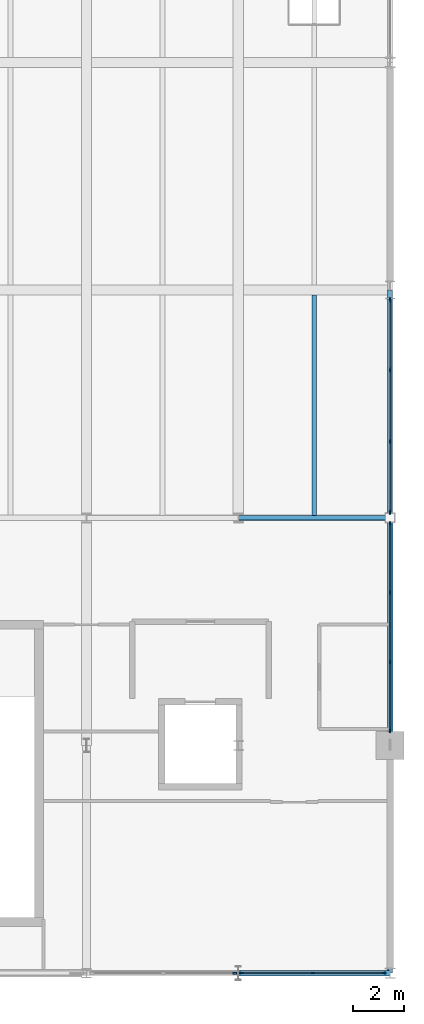
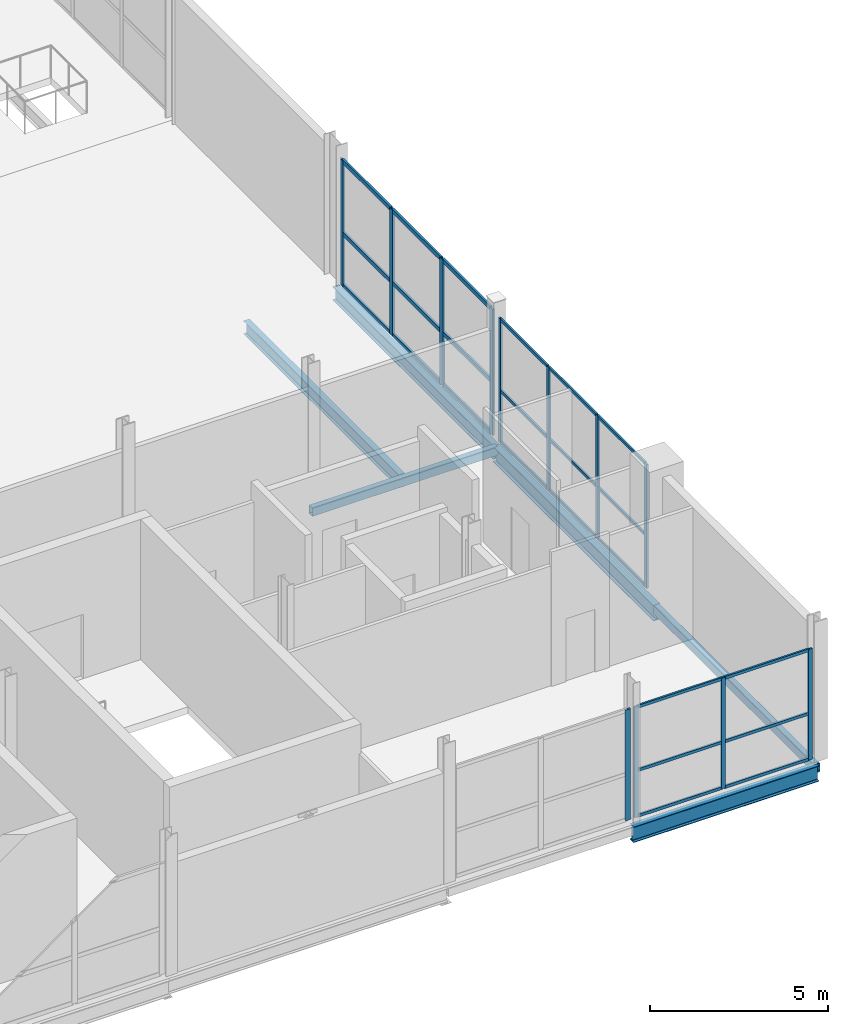
# One storey, part 10 of 29: 36 members, 6 beams, 4 elements without a shape of their own.
"""IFC4 building model written with IfcOpenShell, lengths in metres."""

from ifc_helpers import new_model, si_unit, direction, frame, origin, origin_2d, place, context, subcontext, project, spatial, rectangle, hollow_rectangle, i_section, extrude, material, layer, layer_set, material_profile, profile_set, type_object, element, aggregate, save


model = new_model("IFC4")

# Units and contexts
model_context = context("Model", 3, precision=1e-05, world=origin(), true_north=direction((0.0, 1.0)))
body_context = subcontext(model_context, "Body", "Model", "MODEL_VIEW")
ifc_project = project(units=[si_unit("LENGTHUNIT", "METRE"), si_unit("AREAUNIT", "SQUARE_METRE"), si_unit("VOLUMEUNIT", "CUBIC_METRE"), si_unit("PLANEANGLEUNIT", "RADIAN"), si_unit("MASSUNIT", "GRAM", prefix="KILO")], contexts=[model_context])

# Site, building, storey
site_placement = place(None, origin())
site = spatial("IfcSite", under=ifc_project, at=site_placement, CompositionType="ELEMENT")
building_placement = place(site_placement, origin())
building = spatial("IfcBuilding", under=site, at=building_placement, Name="Qamarlyn Nura Convention Centre", CompositionType="ELEMENT")
storey_placement = place(building_placement, frame((0.0, 0.0, 25.199951171875)))
storey = spatial("IfcBuildingStorey", under=building, at=storey_placement, Name="L05", CompositionType="ELEMENT", Elevation=25.199951171875)

# Beams
ifc_material_1 = material(Name="Steel ASTM A992", Category="steel")
ifc_material_profile_1 = material_profile(ifc_material_1, i_section(OverallWidth=0.18994140625, OverallDepth=0.45703125, WebThickness=0.009033203125, FlangeThickness=0.014404296875, FilletRadius=0.012939453125, at=origin_2d()), Name="W460X74")
ifc_profile_set_1 = profile_set([ifc_material_profile_1], Name="Steel ASTM A992")
beam_type_1 = type_object("IfcBeamType", Name="BM-JOIST-460", PredefinedType="JOIST", material=ifc_profile_set_1)
beam_1_placement = place(storey_placement, frame((189.0, 18.10009765625, -0.468505859375), z_axis=(0.0, 1.0, 0.0), x_axis=(-1.0, 0.0, 0.0)))
element("IfcBeam", 1, at=beam_1_placement, inside=storey, type_object=beam_type_1, Name="L05 secondary joist 17-18/C-D-33", PredefinedType="JOIST", context=body_context, shape_type="SweptSolid", body=[
    extrude(i_section(OverallWidth=0.18994140625, OverallDepth=0.45703125, WebThickness=0.009033203125, FlangeThickness=0.014404296875, FilletRadius=0.012939453125, at=origin_2d()), origin(), (0.0, 0.0, 1.0), 8.699951171875),
])
ifc_material_profile_2 = material_profile(ifc_material_1, i_section(OverallWidth=0.193115234375, OverallDepth=0.466064453125, WebThickness=0.011474609375, FlangeThickness=0.01904296875, FilletRadius=0.012939453125, at=origin_2d()), Name="W460X97")
ifc_profile_set_2 = profile_set([ifc_material_profile_2], Name="Steel ASTM A992")
beam_type_2 = type_object("IfcBeamType", Name="BM-SPAN-460", PredefinedType="SPANDREL", material=ifc_profile_set_2)
beam_2_placement = place(storey_placement, frame((192.0, 18.0, -0.472900390625), z_axis=(0.0, 1.0, 0.0), x_axis=(-1.0, 0.0, 0.0)))
element("IfcBeam", 2, at=beam_2_placement, inside=storey, type_object=beam_type_2, Name="L05 girder 18 C-D", PredefinedType="SPANDREL", context=body_context, shape_type="SweptSolid", body=[
    extrude(i_section(OverallWidth=0.193115234375, OverallDepth=0.466064453125, WebThickness=0.011474609375, FlangeThickness=0.01904296875, FilletRadius=0.012939453125, at=origin_2d()), origin(), (0.0, 0.0, 1.0), 9.0),
])
ifc_material_profile_3 = material_profile(ifc_material_1, i_section(OverallWidth=0.2109375, OverallDepth=0.5390625, WebThickness=0.01171875, FlangeThickness=0.018798828125, FilletRadius=0.013916015625, at=origin_2d()), Name="W530X109")
ifc_profile_set_3 = profile_set([ifc_material_profile_3], Name="Steel ASTM A992")
beam_type_3 = type_object("IfcBeamType", Name="BM-SPAN-530", PredefinedType="SPANDREL", material=ifc_profile_set_3)
beam_3_placement = place(storey_placement, frame((186.0, 0.0, -0.509521484375), z_axis=(1.0, 0.0, 0.0), x_axis=(0.0, 1.0, 0.0)))
element("IfcBeam", 3, at=beam_3_placement, inside=storey, type_object=beam_type_3, Name="L05 girder A 17-18", PredefinedType="SPANDREL", context=body_context, shape_type="SweptSolid", body=[
    extrude(i_section(OverallWidth=0.2109375, OverallDepth=0.5390625, WebThickness=0.01171875, FlangeThickness=0.018798828125, FilletRadius=0.013916015625, at=origin_2d()), origin(), (0.0, 0.0, 1.0), 6.0),
])
beam_4_placement = place(storey_placement, frame((192.0, 9.0, -0.509521484375), z_axis=(0.0, 1.0, 0.0), x_axis=(-1.0, 0.0, 0.0)))
element("IfcBeam", 4, at=beam_4_placement, inside=storey, type_object=beam_type_3, Name="L05 girder 18 B-C", PredefinedType="SPANDREL", context=body_context, shape_type="SweptSolid", body=[
    extrude(i_section(OverallWidth=0.2109375, OverallDepth=0.5390625, WebThickness=0.01171875, FlangeThickness=0.018798828125, FilletRadius=0.013916015625, at=origin_2d()), origin(), (0.0, 0.0, 1.0), 9.0),
])
ifc_material_2 = material(Name="Steel ASTM A500 Grade C", Category="steel")
ifc_material_profile_4 = material_profile(ifc_material_2, hollow_rectangle(XDim=0.199951171875, YDim=0.300048828125, WallThickness=0.012451171875, InnerFilletRadius=0.012451171875, OuterFilletRadius=0.02490234375, at=origin_2d()), Name="HSS300X200X12.5")
ifc_profile_set_4 = profile_set([ifc_material_profile_4], Name="Steel ASTM A500 Grade C")
beam_type_4 = type_object("IfcBeamType", Name="BM-SPAN-HSS", PredefinedType="SPANDREL", material=ifc_profile_set_4)
beam_5_placement = place(storey_placement, frame((186.0, 18.0, -0.389892578125), z_axis=(1.0, 0.0, 0.0), x_axis=(0.0, 1.0, 0.0)))
element("IfcBeam", 5, at=beam_5_placement, inside=storey, type_object=beam_type_4, Name="L05 girder C 17-18", PredefinedType="SPANDREL", context=body_context, shape_type="SweptSolid", body=[
    extrude(hollow_rectangle(XDim=0.199951171875, YDim=0.300048828125, WallThickness=0.012451171875, InnerFilletRadius=0.012451171875, OuterFilletRadius=0.02490234375, at=origin_2d()), origin(), (0.0, 0.0, 1.0), 6.0),
])
beam_6_placement = place(storey_placement, frame((192.0, 0.0, -0.389892578125), z_axis=(0.0, 1.0, 0.0), x_axis=(-1.0, 0.0, 0.0)))
element("IfcBeam", 6, at=beam_6_placement, inside=storey, type_object=beam_type_4, Name="L05 girder 18 A-B", PredefinedType="SPANDREL", context=body_context, shape_type="SweptSolid", body=[
    extrude(hollow_rectangle(XDim=0.199951171875, YDim=0.300048828125, WallThickness=0.012451171875, InnerFilletRadius=0.012451171875, OuterFilletRadius=0.02490234375, at=origin_2d()), origin(), (0.0, 0.0, 1.0), 9.0),
])

# Curtain wall, members
ifc_material_3 = material(Name="Double-silver low-E insulated glass", Category="glass")
ifc_layer_1 = layer(ifc_material_3, 0.179931640625, Name="CW-UNIT-152")
ifc_layer_set_1 = layer_set([ifc_layer_1], Name="Double-silver low-E insulated glass")
curtain_wall_type_1 = type_object("IfcCurtainWallType", Name="CW-UNIT-152", PredefinedType="NOTDEFINED", material=ifc_layer_set_1)
curtain_wall_1_placement = place(storey_placement, origin())
curtain_wall_1 = element("IfcCurtainWall", 7, at=curtain_wall_1_placement, inside=storey, type_object=curtain_wall_type_1, Name="L05 unitised curtain wall EAST-2-1", PredefinedType="NOTDEFINED")
ifc_material_4 = material(Name="Champagne-anodised marine aluminium", Category="aluminium")
ifc_material_profile_5 = material_profile(ifc_material_4, rectangle(XDim=0.06005859375, YDim=0.139892578125, at=origin_2d()), Name="ALU MULLION 60x140")
ifc_profile_set_5 = profile_set([ifc_material_profile_5], Name="Champagne-anodised marine aluminium")
member_type_1 = type_object("IfcMemberType", Name="CWM-140", PredefinedType="MULLION", material=ifc_profile_set_5)
member_1_placement = place(storey_placement, frame((192.0, 17.77001953125, 0.0), z_axis=(0.0, 0.0, 1.0), x_axis=(1.0, 0.0, 0.0)))
member_1 = element("IfcMember", 8, at=member_1_placement, type_object=member_type_1, Name="CW152 mullion 1", PredefinedType="MULLION", context=body_context, shape_type="SweptSolid", body=[
    extrude(rectangle(XDim=0.06005859375, YDim=0.139892578125, at=origin_2d()), origin(), (0.0, 0.0, 1.0), 4.24609375),
])
member_2_placement = place(storey_placement, frame((192.0, 15.050048828125, 0.0), z_axis=(0.0, 0.0, 1.0), x_axis=(1.0, 0.0, 0.0)))
member_2 = element("IfcMember", 9, at=member_2_placement, type_object=member_type_1, Name="CW152 mullion 2", PredefinedType="MULLION", context=body_context, shape_type="SweptSolid", body=[
    extrude(rectangle(XDim=0.06005859375, YDim=0.139892578125, at=origin_2d()), origin(), (0.0, 0.0, 1.0), 4.24609375),
])
member_3_placement = place(storey_placement, frame((192.0, 12.300048828125, 0.0), z_axis=(0.0, 0.0, 1.0), x_axis=(1.0, 0.0, 0.0)))
member_3 = element("IfcMember", 10, at=member_3_placement, type_object=member_type_1, Name="CW152 mullion 3", PredefinedType="MULLION", context=body_context, shape_type="SweptSolid", body=[
    extrude(rectangle(XDim=0.06005859375, YDim=0.139892578125, at=origin_2d()), origin(), (0.0, 0.0, 1.0), 4.24609375),
])
member_4_placement = place(storey_placement, frame((192.0, 9.580078125, 0.0), z_axis=(0.0, 0.0, 1.0), x_axis=(1.0, 0.0, 0.0)))
member_4 = element("IfcMember", 11, at=member_4_placement, type_object=member_type_1, Name="CW152 mullion 4", PredefinedType="MULLION", context=body_context, shape_type="SweptSolid", body=[
    extrude(rectangle(XDim=0.06005859375, YDim=0.139892578125, at=origin_2d()), origin(), (0.0, 0.0, 1.0), 4.24609375),
])

ifc_layer_2 = layer(ifc_material_3, 0.179931640625, Name="CW-UNIT-158")
ifc_layer_set_2 = layer_set([ifc_layer_2], Name="Double-silver low-E insulated glass")
curtain_wall_type_2 = type_object("IfcCurtainWallType", Name="CW-UNIT-158", PredefinedType="NOTDEFINED", material=ifc_layer_set_2)
curtain_wall_2_placement = place(storey_placement, origin())
curtain_wall_2 = element("IfcCurtainWall", 12, at=curtain_wall_2_placement, inside=storey, type_object=curtain_wall_type_2, Name="L05 unitised curtain wall STH-5-1", PredefinedType="NOTDEFINED")
member_5_placement = place(storey_placement, frame((191.765380859375, 0.0, 0.0), z_axis=(0.0, 0.0, 1.0), x_axis=(0.0, -1.0, 0.0)))
member_5 = element("IfcMember", 13, at=member_5_placement, type_object=member_type_1, Name="CW158 mullion 1", PredefinedType="MULLION", context=body_context, shape_type="SweptSolid", body=[
    extrude(rectangle(XDim=0.06005859375, YDim=0.139892578125, at=origin_2d()), origin(), (0.0, 0.0, 1.0), 3.7939453125),
])
member_6_placement = place(storey_placement, frame((188.950439453125, 0.0, 0.0), z_axis=(0.0, 0.0, 1.0), x_axis=(0.0, -1.0, 0.0)))
member_6 = element("IfcMember", 14, at=member_6_placement, type_object=member_type_1, Name="CW158 mullion 2", PredefinedType="MULLION", context=body_context, shape_type="SweptSolid", body=[
    extrude(rectangle(XDim=0.06005859375, YDim=0.139892578125, at=origin_2d()), origin(), (0.0, 0.0, 1.0), 3.7939453125),
])
member_7_placement = place(storey_placement, frame((186.135498046875, 0.0, 0.0), z_axis=(0.0, 0.0, 1.0), x_axis=(0.0, -1.0, 0.0)))
member_7 = element("IfcMember", 15, at=member_7_placement, type_object=member_type_1, Name="CW158 mullion 3", PredefinedType="MULLION", context=body_context, shape_type="SweptSolid", body=[
    extrude(rectangle(XDim=0.06005859375, YDim=0.139892578125, at=origin_2d()), origin(), (0.0, 0.0, 1.0), 3.7939453125),
])

# Curtain wall, member
ifc_layer_3 = layer(ifc_material_3, 0.179931640625, Name="CW-UNIT-157")
ifc_layer_set_3 = layer_set([ifc_layer_3], Name="Double-silver low-E insulated glass")
curtain_wall_type_3 = type_object("IfcCurtainWallType", Name="CW-UNIT-157", PredefinedType="NOTDEFINED", material=ifc_layer_set_3)
curtain_wall_3_placement = place(storey_placement, origin())
curtain_wall_3 = element("IfcCurtainWall", 16, at=curtain_wall_3_placement, inside=storey, type_object=curtain_wall_type_3, Name="L05 unitised curtain wall STH-4-1", PredefinedType="NOTDEFINED")
ifc_material_profile_6 = material_profile(ifc_material_4, rectangle(XDim=0.06494140625, YDim=0.159912109375, at=origin_2d()), Name="ALU MULLION 65x160")
ifc_profile_set_6 = profile_set([ifc_material_profile_6], Name="Champagne-anodised marine aluminium")
member_type_2 = type_object("IfcMemberType", Name="CWM-160", PredefinedType="MULLION", material=ifc_profile_set_6)
member_8_placement = place(storey_placement, frame((185.862060546875, 0.0, 0.0), z_axis=(0.0, 0.0, 1.0), x_axis=(0.0, -1.0, 0.0)))
member_8 = element("IfcMember", 17, at=member_8_placement, type_object=member_type_2, Name="CW157 mullion 1", PredefinedType="MULLION", context=body_context, shape_type="SweptSolid", body=[
    extrude(rectangle(XDim=0.06494140625, YDim=0.159912109375, at=origin_2d()), origin(), (0.0, 0.0, 1.0), 3.7939453125),
])
aggregate(curtain_wall_3, [member_8])

# Curtain wall, members
ifc_layer_4 = layer(ifc_material_3, 0.179931640625, Name="CW-UNIT-153")
ifc_layer_set_4 = layer_set([ifc_layer_4], Name="Double-silver low-E insulated glass")
curtain_wall_type_4 = type_object("IfcCurtainWallType", Name="CW-UNIT-153", PredefinedType="NOTDEFINED", material=ifc_layer_set_4)
curtain_wall_4_placement = place(storey_placement, origin())
curtain_wall_4 = element("IfcCurtainWall", 18, at=curtain_wall_4_placement, inside=storey, type_object=curtain_wall_type_4, Name="L05 unitised curtain wall EAST-3-1", PredefinedType="NOTDEFINED")
ifc_material_profile_7 = material_profile(ifc_material_4, rectangle(XDim=0.070068359375, YDim=0.179931640625, at=origin_2d()), Name="ALU MULLION 70x180")
ifc_profile_set_7 = profile_set([ifc_material_profile_7], Name="Champagne-anodised marine aluminium")
member_type_3 = type_object("IfcMemberType", Name="CWM-180", PredefinedType="MULLION", material=ifc_profile_set_7)
member_9_placement = place(storey_placement, frame((192.0, 26.617431640625, 0.0), z_axis=(0.0, 0.0, 1.0), x_axis=(1.0, 0.0, 0.0)))
member_9 = element("IfcMember", 19, at=member_9_placement, type_object=member_type_3, Name="CW153 mullion 1", PredefinedType="MULLION", context=body_context, shape_type="SweptSolid", body=[
    extrude(rectangle(XDim=0.070068359375, YDim=0.179931640625, at=origin_2d()), origin(), (0.0, 0.0, 1.0), 4.319091796875),
])
member_10_placement = place(storey_placement, frame((192.0, 23.8349609375, 0.0), z_axis=(0.0, 0.0, 1.0), x_axis=(1.0, 0.0, 0.0)))
member_10 = element("IfcMember", 20, at=member_10_placement, type_object=member_type_3, Name="CW153 mullion 2", PredefinedType="MULLION", context=body_context, shape_type="SweptSolid", body=[
    extrude(rectangle(XDim=0.070068359375, YDim=0.179931640625, at=origin_2d()), origin(), (0.0, 0.0, 1.0), 4.319091796875),
])
member_11_placement = place(storey_placement, frame((192.0, 21.017578125, 0.0), z_axis=(0.0, 0.0, 1.0), x_axis=(1.0, 0.0, 0.0)))
member_11 = element("IfcMember", 21, at=member_11_placement, type_object=member_type_3, Name="CW153 mullion 3", PredefinedType="MULLION", context=body_context, shape_type="SweptSolid", body=[
    extrude(rectangle(XDim=0.070068359375, YDim=0.179931640625, at=origin_2d()), origin(), (0.0, 0.0, 1.0), 4.319091796875),
])
member_12_placement = place(storey_placement, frame((192.0, 18.235107421875, 0.0), z_axis=(0.0, 0.0, 1.0), x_axis=(1.0, 0.0, 0.0)))
member_12 = element("IfcMember", 22, at=member_12_placement, type_object=member_type_3, Name="CW153 mullion 4", PredefinedType="MULLION", context=body_context, shape_type="SweptSolid", body=[
    extrude(rectangle(XDim=0.070068359375, YDim=0.179931640625, at=origin_2d()), origin(), (0.0, 0.0, 1.0), 4.319091796875),
])

# Member
ifc_material_profile_8 = material_profile(ifc_material_4, rectangle(XDim=0.06005859375, YDim=0.10009765625, at=origin_2d()), Name="ALU TRANSOM 60x100")
ifc_profile_set_8 = profile_set([ifc_material_profile_8], Name="Champagne-anodised marine aluminium")
member_type_4 = type_object("IfcMemberType", Name="CWT-100", PredefinedType="USERDEFINED", material=ifc_profile_set_8)
member_13_placement = place(storey_placement, frame((192.0, 17.739990234375, 0.030029296875), z_axis=(0.0, -1.0, 0.0), x_axis=(1.0, 0.0, 0.0)))
member_13 = element("IfcMember", 23, at=member_13_placement, type_object=member_type_4, Name="CW152 transom 1.1", ObjectType="TRANSOM", PredefinedType="USERDEFINED", context=body_context, shape_type="SweptSolid", body=[
    extrude(rectangle(XDim=0.06005859375, YDim=0.10009765625, at=origin_2d()), origin(), (0.0, 0.0, 1.0), 2.659912109375),
])

member_14_placement = place(storey_placement, frame((192.0, 17.739990234375, 1.782958984375), z_axis=(0.0, -1.0, 0.0), x_axis=(1.0, 0.0, 0.0)))
member_14 = element("IfcMember", 24, at=member_14_placement, type_object=member_type_4, Name="CW152 transom 1.2", ObjectType="TRANSOM", PredefinedType="USERDEFINED", context=body_context, shape_type="SweptSolid", body=[
    extrude(rectangle(XDim=0.06005859375, YDim=0.10009765625, at=origin_2d()), origin(), (0.0, 0.0, 1.0), 2.659912109375),
])

member_15_placement = place(storey_placement, frame((192.0, 17.739990234375, 4.216064453125), z_axis=(0.0, -1.0, 0.0), x_axis=(1.0, 0.0, 0.0)))
member_15 = element("IfcMember", 25, at=member_15_placement, type_object=member_type_4, Name="CW152 transom 1.3", ObjectType="TRANSOM", PredefinedType="USERDEFINED", context=body_context, shape_type="SweptSolid", body=[
    extrude(rectangle(XDim=0.06005859375, YDim=0.10009765625, at=origin_2d()), origin(), (0.0, 0.0, 1.0), 2.659912109375),
])

member_16_placement = place(storey_placement, frame((192.0, 15.02001953125, 0.030029296875), z_axis=(0.0, -1.0, 0.0), x_axis=(1.0, 0.0, 0.0)))
member_16 = element("IfcMember", 26, at=member_16_placement, type_object=member_type_4, Name="CW152 transom 2.1", ObjectType="TRANSOM", PredefinedType="USERDEFINED", context=body_context, shape_type="SweptSolid", body=[
    extrude(rectangle(XDim=0.06005859375, YDim=0.10009765625, at=origin_2d()), origin(), (0.0, 0.0, 1.0), 2.68994140625),
])

member_17_placement = place(storey_placement, frame((192.0, 15.02001953125, 1.782958984375), z_axis=(0.0, -1.0, 0.0), x_axis=(1.0, 0.0, 0.0)))
member_17 = element("IfcMember", 27, at=member_17_placement, type_object=member_type_4, Name="CW152 transom 2.2", ObjectType="TRANSOM", PredefinedType="USERDEFINED", context=body_context, shape_type="SweptSolid", body=[
    extrude(rectangle(XDim=0.06005859375, YDim=0.10009765625, at=origin_2d()), origin(), (0.0, 0.0, 1.0), 2.68994140625),
])

member_18_placement = place(storey_placement, frame((192.0, 15.02001953125, 4.216064453125), z_axis=(0.0, -1.0, 0.0), x_axis=(1.0, 0.0, 0.0)))
member_18 = element("IfcMember", 28, at=member_18_placement, type_object=member_type_4, Name="CW152 transom 2.3", ObjectType="TRANSOM", PredefinedType="USERDEFINED", context=body_context, shape_type="SweptSolid", body=[
    extrude(rectangle(XDim=0.06005859375, YDim=0.10009765625, at=origin_2d()), origin(), (0.0, 0.0, 1.0), 2.68994140625),
])

member_19_placement = place(storey_placement, frame((192.0, 12.27001953125, 0.030029296875), z_axis=(0.0, -1.0, 0.0), x_axis=(1.0, 0.0, 0.0)))
member_19 = element("IfcMember", 29, at=member_19_placement, type_object=member_type_4, Name="CW152 transom 3.1", ObjectType="TRANSOM", PredefinedType="USERDEFINED", context=body_context, shape_type="SweptSolid", body=[
    extrude(rectangle(XDim=0.06005859375, YDim=0.10009765625, at=origin_2d()), origin(), (0.0, 0.0, 1.0), 2.659912109375),
])

member_20_placement = place(storey_placement, frame((192.0, 12.27001953125, 1.782958984375), z_axis=(0.0, -1.0, 0.0), x_axis=(1.0, 0.0, 0.0)))
member_20 = element("IfcMember", 30, at=member_20_placement, type_object=member_type_4, Name="CW152 transom 3.2", ObjectType="TRANSOM", PredefinedType="USERDEFINED", context=body_context, shape_type="SweptSolid", body=[
    extrude(rectangle(XDim=0.06005859375, YDim=0.10009765625, at=origin_2d()), origin(), (0.0, 0.0, 1.0), 2.659912109375),
])

member_21_placement = place(storey_placement, frame((192.0, 12.27001953125, 4.216064453125), z_axis=(0.0, -1.0, 0.0), x_axis=(1.0, 0.0, 0.0)))
member_21 = element("IfcMember", 31, at=member_21_placement, type_object=member_type_4, Name="CW152 transom 3.3", ObjectType="TRANSOM", PredefinedType="USERDEFINED", context=body_context, shape_type="SweptSolid", body=[
    extrude(rectangle(XDim=0.06005859375, YDim=0.10009765625, at=origin_2d()), origin(), (0.0, 0.0, 1.0), 2.659912109375),
])

aggregate(curtain_wall_1, [member_1, member_2, member_3, member_4, member_13, member_14, member_15, member_16, member_17, member_18, member_19, member_20, member_21])

member_22_placement = place(storey_placement, frame((191.735595703125, 0.0, 0.030029296875), z_axis=(-1.0, 0.0, 0.0), x_axis=(0.0, -1.0, 0.0)))
member_22 = element("IfcMember", 32, at=member_22_placement, type_object=member_type_4, Name="CW158 transom 1.1", ObjectType="TRANSOM", PredefinedType="USERDEFINED", context=body_context, shape_type="SweptSolid", body=[
    extrude(rectangle(XDim=0.06005859375, YDim=0.10009765625, at=origin_2d()), origin(), (0.0, 0.0, 1.0), 2.755126953125),
])

member_23_placement = place(storey_placement, frame((191.735595703125, 0.0, 1.593017578125), z_axis=(-1.0, 0.0, 0.0), x_axis=(0.0, -1.0, 0.0)))
member_23 = element("IfcMember", 33, at=member_23_placement, type_object=member_type_4, Name="CW158 transom 1.2", ObjectType="TRANSOM", PredefinedType="USERDEFINED", context=body_context, shape_type="SweptSolid", body=[
    extrude(rectangle(XDim=0.06005859375, YDim=0.10009765625, at=origin_2d()), origin(), (0.0, 0.0, 1.0), 2.755126953125),
])

member_24_placement = place(storey_placement, frame((191.735595703125, 0.0, 3.76416015625), z_axis=(-1.0, 0.0, 0.0), x_axis=(0.0, -1.0, 0.0)))
member_24 = element("IfcMember", 34, at=member_24_placement, type_object=member_type_4, Name="CW158 transom 1.3", ObjectType="TRANSOM", PredefinedType="USERDEFINED", context=body_context, shape_type="SweptSolid", body=[
    extrude(rectangle(XDim=0.06005859375, YDim=0.10009765625, at=origin_2d()), origin(), (0.0, 0.0, 1.0), 2.755126953125),
])

member_25_placement = place(storey_placement, frame((188.92041015625, 0.0, 0.030029296875), z_axis=(-1.0, 0.0, 0.0), x_axis=(0.0, -1.0, 0.0)))
member_25 = element("IfcMember", 35, at=member_25_placement, type_object=member_type_4, Name="CW158 transom 2.1", ObjectType="TRANSOM", PredefinedType="USERDEFINED", context=body_context, shape_type="SweptSolid", body=[
    extrude(rectangle(XDim=0.06005859375, YDim=0.10009765625, at=origin_2d()), origin(), (0.0, 0.0, 1.0), 2.7548828125),
])

member_26_placement = place(storey_placement, frame((188.92041015625, 0.0, 1.593017578125), z_axis=(-1.0, 0.0, 0.0), x_axis=(0.0, -1.0, 0.0)))
member_26 = element("IfcMember", 36, at=member_26_placement, type_object=member_type_4, Name="CW158 transom 2.2", ObjectType="TRANSOM", PredefinedType="USERDEFINED", context=body_context, shape_type="SweptSolid", body=[
    extrude(rectangle(XDim=0.06005859375, YDim=0.10009765625, at=origin_2d()), origin(), (0.0, 0.0, 1.0), 2.7548828125),
])

member_27_placement = place(storey_placement, frame((188.92041015625, 0.0, 3.76416015625), z_axis=(-1.0, 0.0, 0.0), x_axis=(0.0, -1.0, 0.0)))
member_27 = element("IfcMember", 37, at=member_27_placement, type_object=member_type_4, Name="CW158 transom 2.3", ObjectType="TRANSOM", PredefinedType="USERDEFINED", context=body_context, shape_type="SweptSolid", body=[
    extrude(rectangle(XDim=0.06005859375, YDim=0.10009765625, at=origin_2d()), origin(), (0.0, 0.0, 1.0), 2.7548828125),
])

aggregate(curtain_wall_2, [member_5, member_6, member_7, member_22, member_23, member_24, member_25, member_26, member_27])

ifc_material_profile_9 = material_profile(ifc_material_4, rectangle(XDim=0.070068359375, YDim=0.139892578125, at=origin_2d()), Name="ALU TRANSOM 70x140")
ifc_profile_set_9 = profile_set([ifc_material_profile_9], Name="Champagne-anodised marine aluminium")
member_type_5 = type_object("IfcMemberType", Name="CWT-140", PredefinedType="USERDEFINED", material=ifc_profile_set_9)
member_28_placement = place(storey_placement, frame((192.0, 26.58251953125, 0.03515625), z_axis=(0.0, -1.0, 0.0), x_axis=(1.0, 0.0, 0.0)))
member_28 = element("IfcMember", 38, at=member_28_placement, type_object=member_type_5, Name="CW153 transom 1.1", ObjectType="TRANSOM", PredefinedType="USERDEFINED", context=body_context, shape_type="SweptSolid", body=[
    extrude(rectangle(XDim=0.070068359375, YDim=0.139892578125, at=origin_2d()), origin(), (0.0, 0.0, 1.0), 2.71240234375),
])

member_29_placement = place(storey_placement, frame((192.0, 26.58251953125, 1.81396484375), z_axis=(0.0, -1.0, 0.0), x_axis=(1.0, 0.0, 0.0)))
member_29 = element("IfcMember", 39, at=member_29_placement, type_object=member_type_5, Name="CW153 transom 1.2", ObjectType="TRANSOM", PredefinedType="USERDEFINED", context=body_context, shape_type="SweptSolid", body=[
    extrude(rectangle(XDim=0.070068359375, YDim=0.139892578125, at=origin_2d()), origin(), (0.0, 0.0, 1.0), 2.71240234375),
])

member_30_placement = place(storey_placement, frame((192.0, 26.58251953125, 4.283935546875), z_axis=(0.0, -1.0, 0.0), x_axis=(1.0, 0.0, 0.0)))
member_30 = element("IfcMember", 40, at=member_30_placement, type_object=member_type_5, Name="CW153 transom 1.3", ObjectType="TRANSOM", PredefinedType="USERDEFINED", context=body_context, shape_type="SweptSolid", body=[
    extrude(rectangle(XDim=0.070068359375, YDim=0.139892578125, at=origin_2d()), origin(), (0.0, 0.0, 1.0), 2.71240234375),
])

member_31_placement = place(storey_placement, frame((192.0, 23.800048828125, 0.03515625), z_axis=(0.0, -1.0, 0.0), x_axis=(1.0, 0.0, 0.0)))
member_31 = element("IfcMember", 41, at=member_31_placement, type_object=member_type_5, Name="CW153 transom 2.1", ObjectType="TRANSOM", PredefinedType="USERDEFINED", context=body_context, shape_type="SweptSolid", body=[
    extrude(rectangle(XDim=0.070068359375, YDim=0.139892578125, at=origin_2d()), origin(), (0.0, 0.0, 1.0), 2.74755859375),
])

member_32_placement = place(storey_placement, frame((192.0, 23.800048828125, 1.81396484375), z_axis=(0.0, -1.0, 0.0), x_axis=(1.0, 0.0, 0.0)))
member_32 = element("IfcMember", 42, at=member_32_placement, type_object=member_type_5, Name="CW153 transom 2.2", ObjectType="TRANSOM", PredefinedType="USERDEFINED", context=body_context, shape_type="SweptSolid", body=[
    extrude(rectangle(XDim=0.070068359375, YDim=0.139892578125, at=origin_2d()), origin(), (0.0, 0.0, 1.0), 2.74755859375),
])

member_33_placement = place(storey_placement, frame((192.0, 23.800048828125, 4.283935546875), z_axis=(0.0, -1.0, 0.0), x_axis=(1.0, 0.0, 0.0)))
member_33 = element("IfcMember", 43, at=member_33_placement, type_object=member_type_5, Name="CW153 transom 2.3", ObjectType="TRANSOM", PredefinedType="USERDEFINED", context=body_context, shape_type="SweptSolid", body=[
    extrude(rectangle(XDim=0.070068359375, YDim=0.139892578125, at=origin_2d()), origin(), (0.0, 0.0, 1.0), 2.74755859375),
])

member_34_placement = place(storey_placement, frame((192.0, 20.982421875, 0.03515625), z_axis=(0.0, -1.0, 0.0), x_axis=(1.0, 0.0, 0.0)))
member_34 = element("IfcMember", 44, at=member_34_placement, type_object=member_type_5, Name="CW153 transom 3.1", ObjectType="TRANSOM", PredefinedType="USERDEFINED", context=body_context, shape_type="SweptSolid", body=[
    extrude(rectangle(XDim=0.070068359375, YDim=0.139892578125, at=origin_2d()), origin(), (0.0, 0.0, 1.0), 2.71240234375),
])

member_35_placement = place(storey_placement, frame((192.0, 20.982421875, 1.81396484375), z_axis=(0.0, -1.0, 0.0), x_axis=(1.0, 0.0, 0.0)))
member_35 = element("IfcMember", 45, at=member_35_placement, type_object=member_type_5, Name="CW153 transom 3.2", ObjectType="TRANSOM", PredefinedType="USERDEFINED", context=body_context, shape_type="SweptSolid", body=[
    extrude(rectangle(XDim=0.070068359375, YDim=0.139892578125, at=origin_2d()), origin(), (0.0, 0.0, 1.0), 2.71240234375),
])

member_36_placement = place(storey_placement, frame((192.0, 20.982421875, 4.283935546875), z_axis=(0.0, -1.0, 0.0), x_axis=(1.0, 0.0, 0.0)))
member_36 = element("IfcMember", 46, at=member_36_placement, type_object=member_type_5, Name="CW153 transom 3.3", ObjectType="TRANSOM", PredefinedType="USERDEFINED", context=body_context, shape_type="SweptSolid", body=[
    extrude(rectangle(XDim=0.070068359375, YDim=0.139892578125, at=origin_2d()), origin(), (0.0, 0.0, 1.0), 2.71240234375),
])

aggregate(curtain_wall_4, [member_9, member_10, member_11, member_12, member_28, member_29, member_30, member_31, member_32, member_33, member_34, member_35, member_36])

save(model, "model.ifc")
